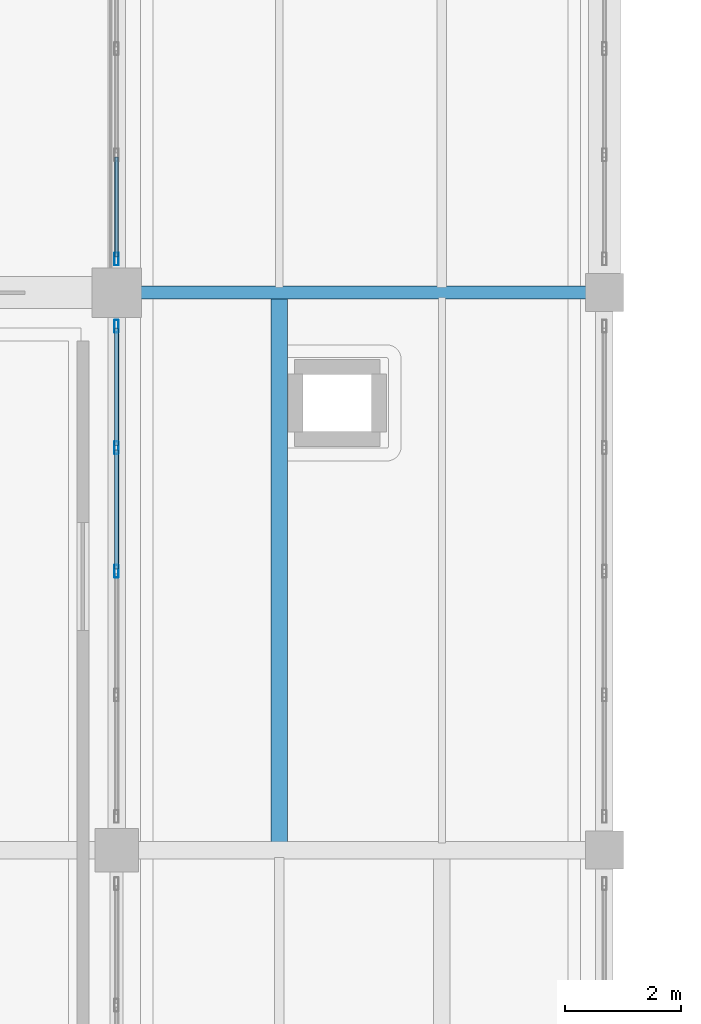
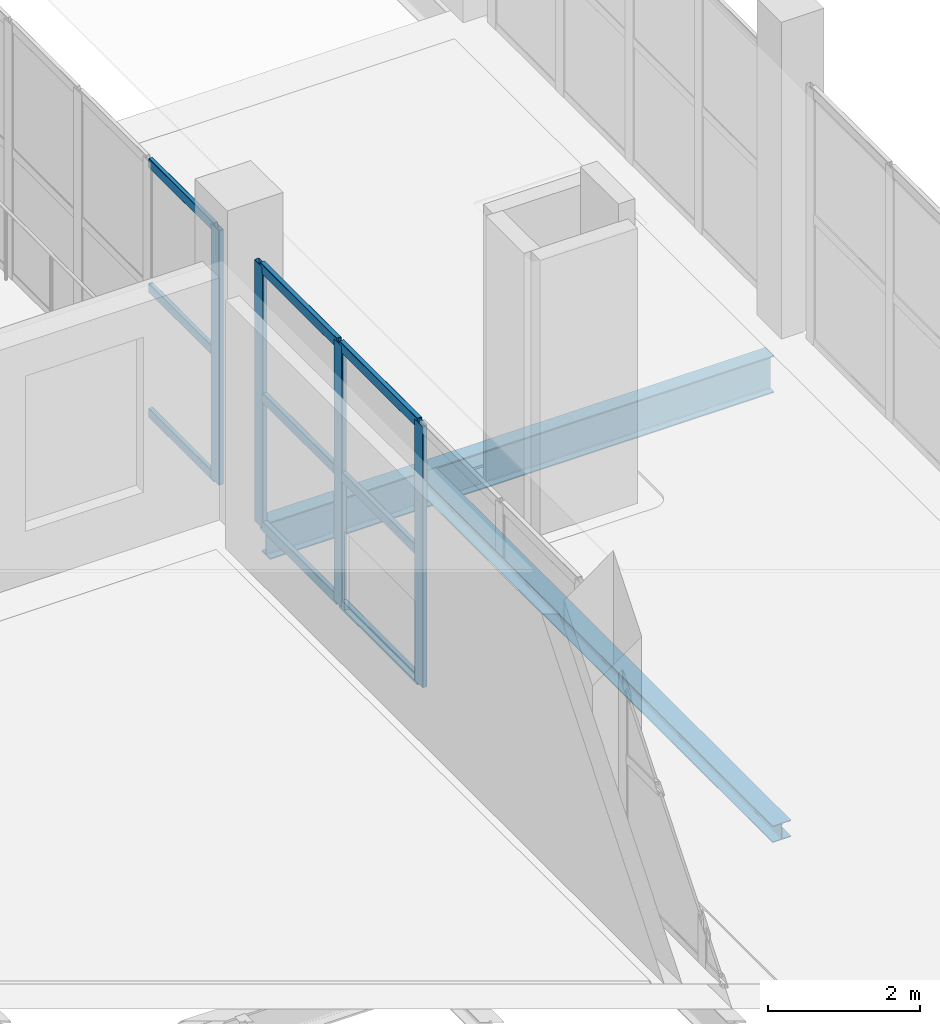
# One storey, part 14 of 73: 13 members, 2 beams, 2 elements without a shape of their own.
"""IFC4 building model written with IfcOpenShell, lengths in metres."""

import ifcopenshell
import ifcopenshell.guid

model = None  # the IFC model being written
_history = None  # IfcOwnerHistory: only IFC2X3 demands one
_inside = {}  # id of a spatial element -> (the spatial element, [elements in it])
_under = {}  # id of a project, library or spatial element -> (it, [spatial elements below it])
_declared = {}  # id of a project -> (the project, [libraries it declares])
_typed = {}  # id of a type object -> (the type object, [elements of that type])
_made_of = {}  # id of a material, layer set ... -> (it, [elements and type objects made of it])


def new_model(schema):
    """Start an empty IFC model of exactly this schema.

    Asked for "IFC4X3", IfcOpenShell would pick the latest addendum, in which some entities
    have other attributes; the version numbers below select the first issue.
    IFC2X3 requires an IfcOwnerHistory on every rooted entity: one is made here for all.
    """
    global model, _history
    if schema == "IFC4X3":
        model = ifcopenshell.file(schema_version=(4, 3, 0, 0))
    else:
        model = ifcopenshell.file(schema=schema)
    _inside.clear()
    _under.clear()
    _declared.clear()
    _typed.clear()
    _made_of.clear()
    _history = None
    if model.schema == "IFC2X3":
        org = make("IfcOrganization", Name="unknown")
        user = make(
            "IfcPersonAndOrganization",
            ThePerson=make("IfcPerson", FamilyName="unknown"),
            TheOrganization=org,
        )
        app = make(
            "IfcApplication",
            ApplicationDeveloper=org,
            Version="unknown",
            ApplicationFullName="unknown",
            ApplicationIdentifier="unknown",
        )
        _history = make(
            "IfcOwnerHistory",
            OwningUser=user,
            OwningApplication=app,
            ChangeAction="ADDED",
            CreationDate=0,
        )
    return model


def make(cls, **values):
    """One entity of the class cls with the attributes given. An attribute that is None is left unset."""
    return model.create_entity(
        cls, **{name: value for name, value in values.items() if value is not None}
    )


def rooted(cls, **values):
    """An entity with a GlobalId (a new one), such as an element, a storey or a relation."""
    return make(cls, GlobalId=ifcopenshell.guid.new(), OwnerHistory=_history, **values)


def si_unit(unit_type, name, prefix=None):
    """IfcSIUnit, for example si_unit("LENGTHUNIT", "METRE", prefix="MILLI")."""
    return make("IfcSIUnit", UnitType=unit_type, Prefix=prefix, Name=name)


def assignment(units):
    """IfcUnitAssignment: the units of a project."""
    return None if units is None else make("IfcUnitAssignment", Units=units)


def point(xyz):
    """IfcCartesianPoint."""
    return None if xyz is None else make("IfcCartesianPoint", Coordinates=xyz)


def direction(xyz):
    """IfcDirection."""
    return None if xyz is None else make("IfcDirection", DirectionRatios=xyz)


def frame(location, z_axis=None, x_axis=None):
    """IfcAxis2Placement3D, a coordinate frame: its origin and axes. An axis left out is left unset."""
    return make(
        "IfcAxis2Placement3D",
        Location=point(location),
        Axis=direction(z_axis),
        RefDirection=direction(x_axis),
    )


def frame_2d(location, x_axis=None):
    """IfcAxis2Placement2D, a coordinate frame in the plane: its origin and x axis."""
    return make(
        "IfcAxis2Placement2D", Location=point(location), RefDirection=direction(x_axis)
    )


def origin():
    """The frame at (0, 0, 0) with its axes left unset."""
    return frame((0.0, 0.0, 0.0))


def origin_2d():
    """The frame at (0, 0) in the plane with its x axis left unset."""
    return frame_2d((0.0, 0.0))


def place(relative_to, where):
    """IfcLocalPlacement: puts the frame where relative to a parent placement (None: the world)."""
    return make(
        "IfcLocalPlacement", PlacementRelTo=relative_to, RelativePlacement=where
    )


def context(
    kind, dimensions, precision=None, world=None, true_north=None, identifier=None
):
    """IfcGeometricRepresentationContext, for example the 3D "Model" context."""
    return make(
        "IfcGeometricRepresentationContext",
        ContextIdentifier=identifier,
        ContextType=kind,
        CoordinateSpaceDimension=dimensions,
        Precision=precision,
        WorldCoordinateSystem=world,
        TrueNorth=true_north,
    )


def subcontext(parent, identifier, kind, view, scale=None):
    """IfcGeometricRepresentationSubContext, for example "Body" below "Model"."""
    return make(
        "IfcGeometricRepresentationSubContext",
        ContextIdentifier=identifier,
        ContextType=kind,
        ParentContext=parent,
        TargetScale=scale,
        TargetView=view,
    )


def project(units=None, contexts=None):
    """IfcProject with its units and contexts."""
    return rooted(
        "IfcProject",
        Name="project",
        RepresentationContexts=contexts,
        UnitsInContext=assignment(units),
    )


def spatial(cls, under=None, at=None, **own):
    """A site, building, storey or space (cls), placed at a placement, below another one or the project."""
    s = rooted(cls, ObjectPlacement=at, **own)
    if under is not None:
        _under.setdefault(under.id(), (under, []))[1].append(s)
    return s


def profile(cls, at=None, kind="AREA", **sizes):
    """A parametric profile (cls). Its sizes go by their IFC names, for example OverallWidth=200.0."""
    return make(cls, ProfileType=kind, Position=at, **sizes)


def hollow_rectangle(**sizes):
    """IfcRectangleHollowProfileDef."""
    return profile("IfcRectangleHollowProfileDef", **sizes)


def i_section(**sizes):
    """IfcIShapeProfileDef."""
    return profile("IfcIShapeProfileDef", **sizes)


def extrude(swept, where, along, depth):
    """IfcExtrudedAreaSolid: the profile swept, set in the frame where, extruded along a direction by depth."""
    return make(
        "IfcExtrudedAreaSolid",
        SweptArea=swept,
        Position=where,
        ExtrudedDirection=direction(along),
        Depth=depth,
    )


def shape(context_of_items, identifier, shape_type, items):
    """IfcShapeRepresentation: the items that make up one representation, for example the "Body"."""
    return make(
        "IfcShapeRepresentation",
        ContextOfItems=context_of_items,
        RepresentationIdentifier=identifier,
        RepresentationType=shape_type,
        Items=items,
    )


def material(Name=None, Category=None):
    """IfcMaterial."""
    return make("IfcMaterial", Name=Name, Category=Category)


def layer(
    of_material, thickness, ventilated=None, Name=None, Category=None, Priority=None
):
    """IfcMaterialLayer: one layer of a wall or slab, of a material (None: an air gap)."""
    return make(
        "IfcMaterialLayer",
        Material=of_material,
        LayerThickness=thickness,
        IsVentilated=ventilated,
        Name=Name,
        Category=Category,
        Priority=Priority,
    )


def layer_set(layers, Name=None):
    """IfcMaterialLayerSet."""
    return make("IfcMaterialLayerSet", MaterialLayers=layers, LayerSetName=Name)


def material_profile(
    of_material, cross_section, Name=None, Category=None, Priority=None
):
    """IfcMaterialProfile: a cross section and its material."""
    return make(
        "IfcMaterialProfile",
        Name=Name,
        Material=of_material,
        Profile=cross_section,
        Priority=Priority,
        Category=Category,
    )


def profile_set(profiles, Name=None, composite=None):
    """IfcMaterialProfileSet."""
    return make(
        "IfcMaterialProfileSet",
        Name=Name,
        MaterialProfiles=profiles,
        CompositeProfile=composite,
    )


def made_of(thing, what):
    """Note that an element or type object is made of a material, layer set ...; save() writes the relation."""
    if what is not None:
        _made_of.setdefault(what.id(), (what, []))[1].append(thing)
    return thing


def type_object(cls, material=None, **own):
    """A type object (cls), such as IfcWallType, which elements share."""
    return made_of(rooted(cls, **own), material)


def element(
    cls,
    number,
    at=None,
    inside=None,
    cuts=None,
    type_object=None,
    material=None,
    context=None,
    identifier="Body",
    shape_type=None,
    held_by="IfcProductDefinitionShape",
    body=None,
    shapes=None,
    **own,
):
    """One element of the class cls, such as IfcWall. Its Tag is "e" and its number.

    at: its placement. inside: the storey or other place that contains it. cuts: it is an
    opening in that element (IfcRelVoidsElement). A single representation is given by context,
    identifier, shape_type and body (its items); several are given by shapes. held_by: the class
    of the entity that holds the representations. save() writes the other relations.
    """
    e = rooted(cls, Tag="e%d" % number, ObjectPlacement=at, **own)
    if body is not None:
        shapes = [shape(context, identifier, shape_type, body)]
    if shapes is not None:
        e.Representation = make(held_by, Representations=shapes)
    if inside is not None:
        _inside.setdefault(inside.id(), (inside, []))[1].append(e)
    if cuts is not None:
        rooted(
            "IfcRelVoidsElement", RelatingBuildingElement=cuts, RelatedOpeningElement=e
        )
    if type_object is not None:
        _typed.setdefault(type_object.id(), (type_object, []))[1].append(e)
    return made_of(e, material)


def aggregate(whole, parts):
    """IfcRelAggregates: a whole, such as a stair, and the parts it consists of."""
    return rooted("IfcRelAggregates", RelatingObject=whole, RelatedObjects=parts)


def save(model, path):
    """Write the relations noted so far, then the file.

    IfcRelAggregates (storeys below a building ...), IfcRelContainedInSpatialStructure (elements
    in a storey), IfcRelDefinesByType, IfcRelAssociatesMaterial and IfcRelDeclares: one each for
    every whole, place, type object, material and project.
    """
    for whole, parts in _under.values():
        aggregate(whole, parts)
    for where, things in _inside.values():
        rooted(
            "IfcRelContainedInSpatialStructure",
            RelatedElements=things,
            RelatingStructure=where,
        )
    for kind, things in _typed.values():
        rooted("IfcRelDefinesByType", RelatedObjects=things, RelatingType=kind)
    for what, things in _made_of.values():
        rooted("IfcRelAssociatesMaterial", RelatedObjects=things, RelatingMaterial=what)
    for by, libraries in _declared.values():
        rooted("IfcRelDeclares", RelatingContext=by, RelatedDefinitions=libraries)
    model.write(path)


model = new_model("IFC4")

# Units and contexts
model_context = context("Model", 3, precision=1e-05, world=origin(), true_north=direction((0.0, 1.0)))
body_context = subcontext(model_context, "Body", "Model", "MODEL_VIEW")
ifc_project = project(units=[si_unit("LENGTHUNIT", "METRE"), si_unit("AREAUNIT", "SQUARE_METRE"), si_unit("VOLUMEUNIT", "CUBIC_METRE"), si_unit("PLANEANGLEUNIT", "RADIAN"), si_unit("MASSUNIT", "GRAM", prefix="KILO")], contexts=[model_context])

# Site, building, storey
site_placement = place(None, origin())
site = spatial("IfcSite", under=ifc_project, at=site_placement, CompositionType="ELEMENT")
building_placement = place(site_placement, origin())
building = spatial("IfcBuilding", under=site, at=building_placement, Name="Zulmaris Art Gallery", CompositionType="ELEMENT")
storey_placement = place(building_placement, frame((0.0, 0.0, 10.5)))
storey = spatial("IfcBuildingStorey", under=building, at=storey_placement, Name="L02", CompositionType="ELEMENT", Elevation=10.5)

# Beams
ifc_material_1 = material(Name="Steel S355J2", Category="steel")
ifc_material_profile_1 = material_profile(ifc_material_1, i_section(OverallWidth=0.219970703125, OverallDepth=0.60009765625, WebThickness=0.011962890625, FlangeThickness=0.01904296875, FilletRadius=0.02392578125, at=origin_2d()), Name="IPE 600")
ifc_profile_set_1 = profile_set([ifc_material_profile_1], Name="Steel S355J2")
beam_type_1 = type_object("IfcBeamType", Name="BEAM-BM07", PredefinedType="BEAM", material=ifc_profile_set_1)
beam_1_placement = place(storey_placement, frame((83.2099609375, 50.39990234375, -0.699951171875), z_axis=(1.0, 0.0, 0.0), x_axis=(0.0, 1.0, 0.0)))
element("IfcBeam", 1, at=beam_1_placement, inside=storey, type_object=beam_type_1, Name="L02 X-girder (82.8..91.2, y=50.4)", PredefinedType="BEAM", context=body_context, shape_type="SweptSolid", body=[
    extrude(i_section(OverallWidth=0.219970703125, OverallDepth=0.60009765625, WebThickness=0.011962890625, FlangeThickness=0.01904296875, FilletRadius=0.02392578125, at=origin_2d()), origin(), (0.0, 0.0, 1.0), 7.679931640625),
])
ifc_material_profile_2 = material_profile(ifc_material_1, i_section(OverallWidth=0.280029296875, OverallDepth=0.27001953125, WebThickness=0.008056640625, FlangeThickness=0.012939453125, FilletRadius=0.02392578125, at=origin_2d()), Name="HEA 280")
ifc_profile_set_2 = profile_set([ifc_material_profile_2], Name="Steel S355J2")
beam_type_2 = type_object("IfcBeamType", Name="BEAM-JS04", PredefinedType="JOIST", material=ifc_profile_set_2)
beam_2_placement = place(storey_placement, frame((85.60009765625, 40.925048828125, -0.534912109375), z_axis=(0.0, 1.0, 0.0), x_axis=(-1.0, 0.0, 0.0)))
element("IfcBeam", 2, at=beam_2_placement, inside=storey, type_object=beam_type_2, Name="L02 secondary joist at x=85.6", PredefinedType="JOIST", context=body_context, shape_type="SweptSolid", body=[
    extrude(i_section(OverallWidth=0.280029296875, OverallDepth=0.27001953125, WebThickness=0.008056640625, FlangeThickness=0.012939453125, FilletRadius=0.02392578125, at=origin_2d()), origin(), (0.0, 0.0, 1.0), 9.389892578125),
])

# Curtain wall, members
ifc_material_2 = material(Name="Cloister & Court Glazed Curtain Wall", Category="aluminium")
ifc_layer = layer(ifc_material_2, 0.179931640625)
ifc_layer_set = layer_set([ifc_layer], Name="Cloister & Court Glazed Curtain Wall")
curtain_wall_type = type_object("IfcCurtainWallType", Name="CW-CW03", PredefinedType="NOTDEFINED", material=ifc_layer_set)
curtain_wall_1_placement = place(storey_placement, origin())
curtain_wall_1 = element("IfcCurtainWall", 3, at=curtain_wall_1_placement, inside=storey, type_object=curtain_wall_type, Name="L02 curtain wall 81", PredefinedType="NOTDEFINED")
ifc_material_3 = material(Name="Anodised Bronze Aluminium", Category="aluminium")
ifc_material_profile_3 = material_profile(ifc_material_3, hollow_rectangle(XDim=0.074951171875, YDim=0.219970703125, WallThickness=0.0048828125, InnerFilletRadius=0.007568359375, OuterFilletRadius=0.012451171875, at=origin_2d()), Name="ALU 75x220x5")
ifc_profile_set_3 = profile_set([ifc_material_profile_3], Name="Anodised Bronze Aluminium")
member_type_1 = type_object("IfcMemberType", Name="CWMUL-02", PredefinedType="MULLION", material=ifc_profile_set_3)
member_1_placement = place(storey_placement, frame((82.800048828125, 45.60009765625, 0.0), z_axis=(0.0, 0.0, 1.0), x_axis=(-1.0, 0.0, 0.0)))
member_1 = element("IfcMember", 4, at=member_1_placement, type_object=member_type_1, Name="CW03 mullion 3", PredefinedType="MULLION", context=body_context, shape_type="SweptSolid", body=[
    extrude(hollow_rectangle(XDim=0.074951171875, YDim=0.219970703125, WallThickness=0.0048828125, InnerFilletRadius=0.007568359375, OuterFilletRadius=0.012451171875, at=origin_2d()), origin(), (0.0, 0.0, 1.0), 4.2099609375),
])
member_2_placement = place(storey_placement, frame((82.800048828125, 47.72998046875, 0.0), z_axis=(0.0, 0.0, 1.0), x_axis=(-1.0, 0.0, 0.0)))
member_2 = element("IfcMember", 5, at=member_2_placement, type_object=member_type_1, Name="CW03 mullion 4", PredefinedType="MULLION", context=body_context, shape_type="SweptSolid", body=[
    extrude(hollow_rectangle(XDim=0.074951171875, YDim=0.219970703125, WallThickness=0.0048828125, InnerFilletRadius=0.007568359375, OuterFilletRadius=0.012451171875, at=origin_2d()), origin(), (0.0, 0.0, 1.0), 4.2099609375),
])
member_3_placement = place(storey_placement, frame((82.800048828125, 49.822509765625, 0.0), z_axis=(0.0, 0.0, 1.0), x_axis=(-1.0, 0.0, 0.0)))
member_3 = element("IfcMember", 6, at=member_3_placement, type_object=member_type_1, Name="CW03 mullion 5", PredefinedType="MULLION", context=body_context, shape_type="SweptSolid", body=[
    extrude(hollow_rectangle(XDim=0.074951171875, YDim=0.219970703125, WallThickness=0.0048828125, InnerFilletRadius=0.007568359375, OuterFilletRadius=0.012451171875, at=origin_2d()), origin(), (0.0, 0.0, 1.0), 4.2099609375),
])

curtain_wall_2_placement = place(storey_placement, origin())
curtain_wall_2 = element("IfcCurtainWall", 7, at=curtain_wall_2_placement, inside=storey, type_object=curtain_wall_type, Name="L02 curtain wall 83", PredefinedType="NOTDEFINED")
member_4_placement = place(storey_placement, frame((82.800048828125, 50.9775390625, 0.0), z_axis=(0.0, 0.0, 1.0), x_axis=(-1.0, 0.0, 0.0)))
member_4 = element("IfcMember", 8, at=member_4_placement, type_object=member_type_1, Name="CW03 mullion 1", PredefinedType="MULLION", context=body_context, shape_type="SweptSolid", body=[
    extrude(hollow_rectangle(XDim=0.074951171875, YDim=0.219970703125, WallThickness=0.0048828125, InnerFilletRadius=0.007568359375, OuterFilletRadius=0.012451171875, at=origin_2d()), origin(), (0.0, 0.0, 1.0), 4.10009765625),
])
ifc_material_profile_4 = material_profile(ifc_material_3, hollow_rectangle(XDim=0.06494140625, YDim=0.14990234375, WallThickness=0.00390625, InnerFilletRadius=0.006103515625, OuterFilletRadius=0.010009765625, at=origin_2d()), Name="ALU 65x150x4")
ifc_profile_set_4 = profile_set([ifc_material_profile_4], Name="Anodised Bronze Aluminium")
member_type_2 = type_object("IfcMemberType", Name="CWTRN-01", PredefinedType="USERDEFINED", material=ifc_profile_set_4)
member_5_placement = place(storey_placement, frame((82.800048828125, 51.014892578125, 0.03759765625), z_axis=(0.0, 1.0, 0.0), x_axis=(-1.0, 0.0, 0.0)))
member_5 = element("IfcMember", 9, at=member_5_placement, type_object=member_type_2, Name="CW03 transom 1.1", ObjectType="TRANSOM", PredefinedType="USERDEFINED", context=body_context, shape_type="SweptSolid", body=[
    extrude(hollow_rectangle(XDim=0.06494140625, YDim=0.14990234375, WallThickness=0.00390625, InnerFilletRadius=0.006103515625, OuterFilletRadius=0.010009765625, at=origin_2d()), origin(), (0.0, 0.0, 1.0), 1.717529296875),
])
member_6_placement = place(storey_placement, frame((82.800048828125, 51.014892578125, 2.050048828125), z_axis=(0.0, 1.0, 0.0), x_axis=(-1.0, 0.0, 0.0)))
member_6 = element("IfcMember", 10, at=member_6_placement, type_object=member_type_2, Name="CW03 transom 1.2", ObjectType="TRANSOM", PredefinedType="USERDEFINED", context=body_context, shape_type="SweptSolid", body=[
    extrude(hollow_rectangle(XDim=0.06494140625, YDim=0.14990234375, WallThickness=0.00390625, InnerFilletRadius=0.006103515625, OuterFilletRadius=0.010009765625, at=origin_2d()), origin(), (0.0, 0.0, 1.0), 1.717529296875),
])
member_7_placement = place(storey_placement, frame((82.800048828125, 51.014892578125, 4.0625), z_axis=(0.0, 1.0, 0.0), x_axis=(-1.0, 0.0, 0.0)))
member_7 = element("IfcMember", 11, at=member_7_placement, type_object=member_type_2, Name="CW03 transom 1.3", ObjectType="TRANSOM", PredefinedType="USERDEFINED", context=body_context, shape_type="SweptSolid", body=[
    extrude(hollow_rectangle(XDim=0.06494140625, YDim=0.14990234375, WallThickness=0.00390625, InnerFilletRadius=0.006103515625, OuterFilletRadius=0.010009765625, at=origin_2d()), origin(), (0.0, 0.0, 1.0), 1.717529296875),
])
aggregate(curtain_wall_2, [member_4, member_5, member_6, member_7])

# Member
ifc_material_profile_5 = material_profile(ifc_material_3, hollow_rectangle(XDim=0.074951171875, YDim=0.159912109375, WallThickness=0.00390625, InnerFilletRadius=0.006103515625, OuterFilletRadius=0.010009765625, at=origin_2d()), Name="ALU 75x160x4")
ifc_profile_set_5 = profile_set([ifc_material_profile_5], Name="Anodised Bronze Aluminium")
member_type_3 = type_object("IfcMemberType", Name="CWTRN-02", PredefinedType="USERDEFINED", material=ifc_profile_set_5)
member_8_placement = place(storey_placement, frame((82.800048828125, 45.637451171875, 0.03759765625), z_axis=(0.0, 1.0, 0.0), x_axis=(-1.0, 0.0, 0.0)))
member_8 = element("IfcMember", 12, at=member_8_placement, type_object=member_type_3, Name="CW03 transom 3.1", ObjectType="TRANSOM", PredefinedType="USERDEFINED", context=body_context, shape_type="SweptSolid", body=[
    extrude(hollow_rectangle(XDim=0.074951171875, YDim=0.159912109375, WallThickness=0.00390625, InnerFilletRadius=0.006103515625, OuterFilletRadius=0.010009765625, at=origin_2d()), origin(), (0.0, 0.0, 1.0), 2.054931640625),
])

member_9_placement = place(storey_placement, frame((82.800048828125, 45.637451171875, 2.10498046875), z_axis=(0.0, 1.0, 0.0), x_axis=(-1.0, 0.0, 0.0)))
member_9 = element("IfcMember", 13, at=member_9_placement, type_object=member_type_3, Name="CW03 transom 3.2", ObjectType="TRANSOM", PredefinedType="USERDEFINED", context=body_context, shape_type="SweptSolid", body=[
    extrude(hollow_rectangle(XDim=0.074951171875, YDim=0.159912109375, WallThickness=0.00390625, InnerFilletRadius=0.006103515625, OuterFilletRadius=0.010009765625, at=origin_2d()), origin(), (0.0, 0.0, 1.0), 2.054931640625),
])

member_10_placement = place(storey_placement, frame((82.800048828125, 45.637451171875, 4.172607421875), z_axis=(0.0, 1.0, 0.0), x_axis=(-1.0, 0.0, 0.0)))
member_10 = element("IfcMember", 14, at=member_10_placement, type_object=member_type_3, Name="CW03 transom 3.3", ObjectType="TRANSOM", PredefinedType="USERDEFINED", context=body_context, shape_type="SweptSolid", body=[
    extrude(hollow_rectangle(XDim=0.074951171875, YDim=0.159912109375, WallThickness=0.00390625, InnerFilletRadius=0.006103515625, OuterFilletRadius=0.010009765625, at=origin_2d()), origin(), (0.0, 0.0, 1.0), 2.054931640625),
])

member_11_placement = place(storey_placement, frame((82.800048828125, 47.767578125, 0.03759765625), z_axis=(0.0, 1.0, 0.0), x_axis=(-1.0, 0.0, 0.0)))
member_11 = element("IfcMember", 15, at=member_11_placement, type_object=member_type_3, Name="CW03 transom 4.1", ObjectType="TRANSOM", PredefinedType="USERDEFINED", context=body_context, shape_type="SweptSolid", body=[
    extrude(hollow_rectangle(XDim=0.074951171875, YDim=0.159912109375, WallThickness=0.00390625, InnerFilletRadius=0.006103515625, OuterFilletRadius=0.010009765625, at=origin_2d()), origin(), (0.0, 0.0, 1.0), 2.017333984375),
])

member_12_placement = place(storey_placement, frame((82.800048828125, 47.767578125, 2.10498046875), z_axis=(0.0, 1.0, 0.0), x_axis=(-1.0, 0.0, 0.0)))
member_12 = element("IfcMember", 16, at=member_12_placement, type_object=member_type_3, Name="CW03 transom 4.2", ObjectType="TRANSOM", PredefinedType="USERDEFINED", context=body_context, shape_type="SweptSolid", body=[
    extrude(hollow_rectangle(XDim=0.074951171875, YDim=0.159912109375, WallThickness=0.00390625, InnerFilletRadius=0.006103515625, OuterFilletRadius=0.010009765625, at=origin_2d()), origin(), (0.0, 0.0, 1.0), 2.017333984375),
])

member_13_placement = place(storey_placement, frame((82.800048828125, 47.767578125, 4.172607421875), z_axis=(0.0, 1.0, 0.0), x_axis=(-1.0, 0.0, 0.0)))
member_13 = element("IfcMember", 17, at=member_13_placement, type_object=member_type_3, Name="CW03 transom 4.3", ObjectType="TRANSOM", PredefinedType="USERDEFINED", context=body_context, shape_type="SweptSolid", body=[
    extrude(hollow_rectangle(XDim=0.074951171875, YDim=0.159912109375, WallThickness=0.00390625, InnerFilletRadius=0.006103515625, OuterFilletRadius=0.010009765625, at=origin_2d()), origin(), (0.0, 0.0, 1.0), 2.017333984375),
])

aggregate(curtain_wall_1, [member_1, member_2, member_3, member_8, member_9, member_10, member_11, member_12, member_13])

save(model, "model.ifc")
